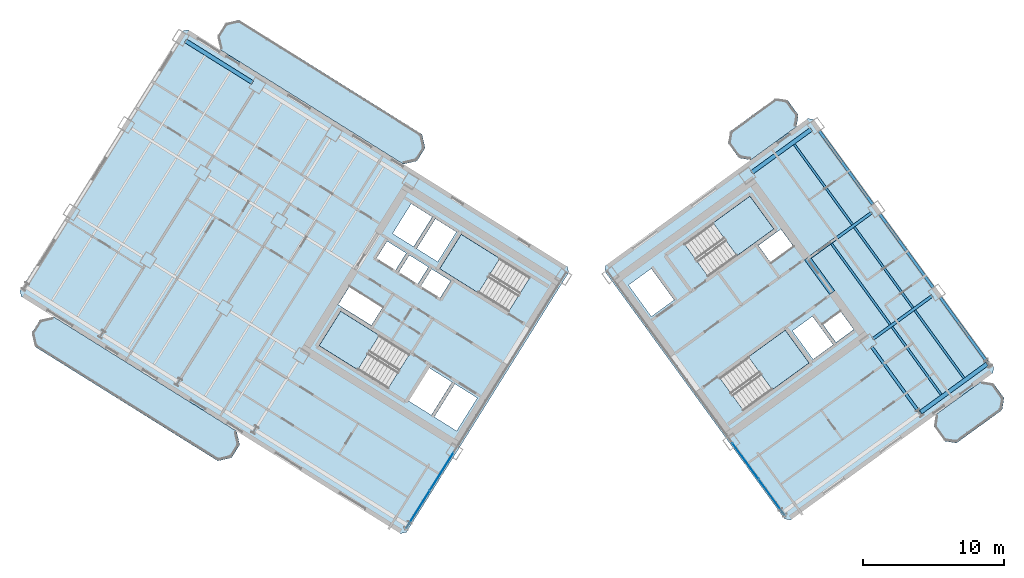
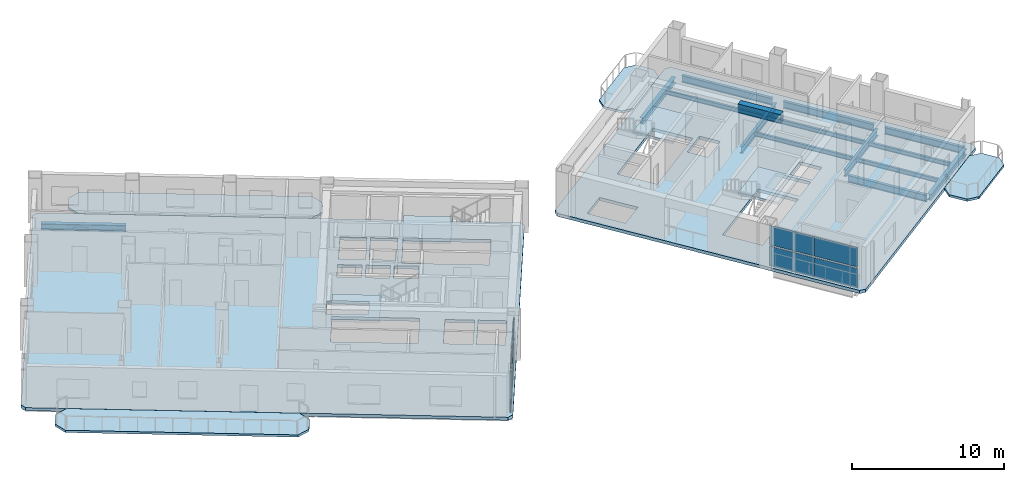
# One storey, part 9 of 18: 15 beams, 10 slabs, 8 plates, 6 elements without a shape of their own.
"""IFC4 building model written with IfcOpenShell, lengths in metres."""

import ifcopenshell
import ifcopenshell.guid

model = None  # the IFC model being written
_history = None  # IfcOwnerHistory: only IFC2X3 demands one
_inside = {}  # id of a spatial element -> (the spatial element, [elements in it])
_under = {}  # id of a project, library or spatial element -> (it, [spatial elements below it])
_declared = {}  # id of a project -> (the project, [libraries it declares])
_typed = {}  # id of a type object -> (the type object, [elements of that type])
_made_of = {}  # id of a material, layer set ... -> (it, [elements and type objects made of it])


def new_model(schema):
    """Start an empty IFC model of exactly this schema.

    Asked for "IFC4X3", IfcOpenShell would pick the latest addendum, in which some entities
    have other attributes; the version numbers below select the first issue.
    IFC2X3 requires an IfcOwnerHistory on every rooted entity: one is made here for all.
    """
    global model, _history
    if schema == "IFC4X3":
        model = ifcopenshell.file(schema_version=(4, 3, 0, 0))
    else:
        model = ifcopenshell.file(schema=schema)
    _inside.clear()
    _under.clear()
    _declared.clear()
    _typed.clear()
    _made_of.clear()
    _history = None
    if model.schema == "IFC2X3":
        org = make("IfcOrganization", Name="unknown")
        user = make(
            "IfcPersonAndOrganization",
            ThePerson=make("IfcPerson", FamilyName="unknown"),
            TheOrganization=org,
        )
        app = make(
            "IfcApplication",
            ApplicationDeveloper=org,
            Version="unknown",
            ApplicationFullName="unknown",
            ApplicationIdentifier="unknown",
        )
        _history = make(
            "IfcOwnerHistory",
            OwningUser=user,
            OwningApplication=app,
            ChangeAction="ADDED",
            CreationDate=0,
        )
    return model


def make(cls, **values):
    """One entity of the class cls with the attributes given. An attribute that is None is left unset."""
    return model.create_entity(
        cls, **{name: value for name, value in values.items() if value is not None}
    )


def rooted(cls, **values):
    """An entity with a GlobalId (a new one), such as an element, a storey or a relation."""
    return make(cls, GlobalId=ifcopenshell.guid.new(), OwnerHistory=_history, **values)


def si_unit(unit_type, name, prefix=None):
    """IfcSIUnit, for example si_unit("LENGTHUNIT", "METRE", prefix="MILLI")."""
    return make("IfcSIUnit", UnitType=unit_type, Prefix=prefix, Name=name)


def assignment(units):
    """IfcUnitAssignment: the units of a project."""
    return None if units is None else make("IfcUnitAssignment", Units=units)


def point(xyz):
    """IfcCartesianPoint."""
    return None if xyz is None else make("IfcCartesianPoint", Coordinates=xyz)


def direction(xyz):
    """IfcDirection."""
    return None if xyz is None else make("IfcDirection", DirectionRatios=xyz)


def frame(location, z_axis=None, x_axis=None):
    """IfcAxis2Placement3D, a coordinate frame: its origin and axes. An axis left out is left unset."""
    return make(
        "IfcAxis2Placement3D",
        Location=point(location),
        Axis=direction(z_axis),
        RefDirection=direction(x_axis),
    )


def frame_2d(location, x_axis=None):
    """IfcAxis2Placement2D, a coordinate frame in the plane: its origin and x axis."""
    return make(
        "IfcAxis2Placement2D", Location=point(location), RefDirection=direction(x_axis)
    )


def origin():
    """The frame at (0, 0, 0) with its axes left unset."""
    return frame((0.0, 0.0, 0.0))


def origin_2d():
    """The frame at (0, 0) in the plane with its x axis left unset."""
    return frame_2d((0.0, 0.0))


def place(relative_to, where):
    """IfcLocalPlacement: puts the frame where relative to a parent placement (None: the world)."""
    return make(
        "IfcLocalPlacement", PlacementRelTo=relative_to, RelativePlacement=where
    )


def context(
    kind, dimensions, precision=None, world=None, true_north=None, identifier=None
):
    """IfcGeometricRepresentationContext, for example the 3D "Model" context."""
    return make(
        "IfcGeometricRepresentationContext",
        ContextIdentifier=identifier,
        ContextType=kind,
        CoordinateSpaceDimension=dimensions,
        Precision=precision,
        WorldCoordinateSystem=world,
        TrueNorth=true_north,
    )


def subcontext(parent, identifier, kind, view, scale=None):
    """IfcGeometricRepresentationSubContext, for example "Body" below "Model"."""
    return make(
        "IfcGeometricRepresentationSubContext",
        ContextIdentifier=identifier,
        ContextType=kind,
        ParentContext=parent,
        TargetScale=scale,
        TargetView=view,
    )


def project(units=None, contexts=None):
    """IfcProject with its units and contexts."""
    return rooted(
        "IfcProject",
        Name="project",
        RepresentationContexts=contexts,
        UnitsInContext=assignment(units),
    )


def spatial(cls, under=None, at=None, **own):
    """A site, building, storey or space (cls), placed at a placement, below another one or the project."""
    s = rooted(cls, ObjectPlacement=at, **own)
    if under is not None:
        _under.setdefault(under.id(), (under, []))[1].append(s)
    return s


def polyline(points):
    """IfcPolyline through the points."""
    return make("IfcPolyline", Points=[point(p) for p in points])


def profile(cls, at=None, kind="AREA", **sizes):
    """A parametric profile (cls). Its sizes go by their IFC names, for example OverallWidth=200.0."""
    return make(cls, ProfileType=kind, Position=at, **sizes)


def rectangle(**sizes):
    """IfcRectangleProfileDef."""
    return profile("IfcRectangleProfileDef", **sizes)


def i_section(**sizes):
    """IfcIShapeProfileDef."""
    return profile("IfcIShapeProfileDef", **sizes)


def outline(outer, holes=None, kind="AREA"):
    """IfcArbitraryClosedProfileDef: a profile drawn as a closed curve; with holes, ...WithVoids."""
    if holes is None:
        return make("IfcArbitraryClosedProfileDef", ProfileType=kind, OuterCurve=outer)
    return make(
        "IfcArbitraryProfileDefWithVoids",
        ProfileType=kind,
        OuterCurve=outer,
        InnerCurves=holes,
    )


def extrude(swept, where, along, depth):
    """IfcExtrudedAreaSolid: the profile swept, set in the frame where, extruded along a direction by depth."""
    return make(
        "IfcExtrudedAreaSolid",
        SweptArea=swept,
        Position=where,
        ExtrudedDirection=direction(along),
        Depth=depth,
    )


def shape(context_of_items, identifier, shape_type, items):
    """IfcShapeRepresentation: the items that make up one representation, for example the "Body"."""
    return make(
        "IfcShapeRepresentation",
        ContextOfItems=context_of_items,
        RepresentationIdentifier=identifier,
        RepresentationType=shape_type,
        Items=items,
    )


def source(mapping_origin, context_of_items, identifier, shape_type, items):
    """IfcRepresentationMap: a shape defined once, which mapped items show again and again."""
    return make(
        "IfcRepresentationMap",
        MappingOrigin=mapping_origin,
        MappedRepresentation=shape(context_of_items, identifier, shape_type, items),
    )


def transform(
    local_origin,
    x_axis=None,
    y_axis=None,
    z_axis=None,
    scale=None,
    scale2=None,
    scale3=None,
    uniform=True,
):
    """IfcCartesianTransformationOperator3D, or its non-uniform kind. x_axis, y_axis, z_axis: its Axis1, 2, 3."""
    if uniform:
        return make(
            "IfcCartesianTransformationOperator3D",
            Axis1=direction(x_axis),
            Axis2=direction(y_axis),
            LocalOrigin=point(local_origin),
            Scale=scale,
            Axis3=direction(z_axis),
        )
    return make(
        "IfcCartesianTransformationOperator3DnonUniform",
        Axis1=direction(x_axis),
        Axis2=direction(y_axis),
        LocalOrigin=point(local_origin),
        Scale=scale,
        Axis3=direction(z_axis),
        Scale2=scale2,
        Scale3=scale3,
    )


def mapped(mapping_source, mapping_target):
    """IfcMappedItem: shows the shape of a source again, moved by a transform."""
    return make(
        "IfcMappedItem", MappingSource=mapping_source, MappingTarget=mapping_target
    )


def material(Name=None, Category=None):
    """IfcMaterial."""
    return make("IfcMaterial", Name=Name, Category=Category)


def layer(
    of_material, thickness, ventilated=None, Name=None, Category=None, Priority=None
):
    """IfcMaterialLayer: one layer of a wall or slab, of a material (None: an air gap)."""
    return make(
        "IfcMaterialLayer",
        Material=of_material,
        LayerThickness=thickness,
        IsVentilated=ventilated,
        Name=Name,
        Category=Category,
        Priority=Priority,
    )


def layer_set(layers, Name=None):
    """IfcMaterialLayerSet."""
    return make("IfcMaterialLayerSet", MaterialLayers=layers, LayerSetName=Name)


def material_profile(
    of_material, cross_section, Name=None, Category=None, Priority=None
):
    """IfcMaterialProfile: a cross section and its material."""
    return make(
        "IfcMaterialProfile",
        Name=Name,
        Material=of_material,
        Profile=cross_section,
        Priority=Priority,
        Category=Category,
    )


def profile_set(profiles, Name=None, composite=None):
    """IfcMaterialProfileSet."""
    return make(
        "IfcMaterialProfileSet",
        Name=Name,
        MaterialProfiles=profiles,
        CompositeProfile=composite,
    )


def made_of(thing, what):
    """Note that an element or type object is made of a material, layer set ...; save() writes the relation."""
    if what is not None:
        _made_of.setdefault(what.id(), (what, []))[1].append(thing)
    return thing


def type_object(cls, material=None, **own):
    """A type object (cls), such as IfcWallType, which elements share."""
    return made_of(rooted(cls, **own), material)


def element(
    cls,
    number,
    at=None,
    inside=None,
    cuts=None,
    type_object=None,
    material=None,
    context=None,
    identifier="Body",
    shape_type=None,
    held_by="IfcProductDefinitionShape",
    body=None,
    shapes=None,
    **own,
):
    """One element of the class cls, such as IfcWall. Its Tag is "e" and its number.

    at: its placement. inside: the storey or other place that contains it. cuts: it is an
    opening in that element (IfcRelVoidsElement). A single representation is given by context,
    identifier, shape_type and body (its items); several are given by shapes. held_by: the class
    of the entity that holds the representations. save() writes the other relations.
    """
    e = rooted(cls, Tag="e%d" % number, ObjectPlacement=at, **own)
    if body is not None:
        shapes = [shape(context, identifier, shape_type, body)]
    if shapes is not None:
        e.Representation = make(held_by, Representations=shapes)
    if inside is not None:
        _inside.setdefault(inside.id(), (inside, []))[1].append(e)
    if cuts is not None:
        rooted(
            "IfcRelVoidsElement", RelatingBuildingElement=cuts, RelatedOpeningElement=e
        )
    if type_object is not None:
        _typed.setdefault(type_object.id(), (type_object, []))[1].append(e)
    return made_of(e, material)


def aggregate(whole, parts):
    """IfcRelAggregates: a whole, such as a stair, and the parts it consists of."""
    return rooted("IfcRelAggregates", RelatingObject=whole, RelatedObjects=parts)


def save(model, path):
    """Write the relations noted so far, then the file.

    IfcRelAggregates (storeys below a building ...), IfcRelContainedInSpatialStructure (elements
    in a storey), IfcRelDefinesByType, IfcRelAssociatesMaterial and IfcRelDeclares: one each for
    every whole, place, type object, material and project.
    """
    for whole, parts in _under.values():
        aggregate(whole, parts)
    for where, things in _inside.values():
        rooted(
            "IfcRelContainedInSpatialStructure",
            RelatedElements=things,
            RelatingStructure=where,
        )
    for kind, things in _typed.values():
        rooted("IfcRelDefinesByType", RelatedObjects=things, RelatingType=kind)
    for what, things in _made_of.values():
        rooted("IfcRelAssociatesMaterial", RelatedObjects=things, RelatingMaterial=what)
    for by, libraries in _declared.values():
        rooted("IfcRelDeclares", RelatingContext=by, RelatedDefinitions=libraries)
    model.write(path)


model = new_model("IFC4")

# Units and contexts
model_context = context("Model", 3, precision=1e-05, world=origin(), true_north=direction((0.0, 1.0)))
body_context = subcontext(model_context, "Body", "Model", "MODEL_VIEW")
ifc_project = project(units=[si_unit("LENGTHUNIT", "METRE"), si_unit("AREAUNIT", "SQUARE_METRE"), si_unit("VOLUMEUNIT", "CUBIC_METRE"), si_unit("PLANEANGLEUNIT", "RADIAN"), si_unit("MASSUNIT", "GRAM", prefix="KILO")], contexts=[model_context])

# Site, building, storey
site_placement = place(None, origin())
site = spatial("IfcSite", under=ifc_project, at=site_placement, CompositionType="ELEMENT")
building_placement = place(site_placement, origin())
building = spatial("IfcBuilding", under=site, at=building_placement, Name="Tlacorven Tower", CompositionType="ELEMENT")
storey_placement = place(building_placement, frame((0.0, 0.0, 132.60009765625)))
storey = spatial("IfcBuildingStorey", under=building, at=storey_placement, Name="L33", CompositionType="ELEMENT", Elevation=132.60009765625)

# Beams
ifc_material_1 = material(Name="Concrete C60/75", Category="concrete")
ifc_material_profile_1 = material_profile(ifc_material_1, rectangle(XDim=0.449951171875, YDim=0.699951171875, at=origin_2d()), Name="RC 450X700")
ifc_profile_set_1 = profile_set([ifc_material_profile_1], Name="Concrete C60/75")
beam_type_1 = type_object("IfcBeamType", Name="BM-LNT-700", PredefinedType="LINTEL", material=ifc_profile_set_1)
shared_shape_1 = source(origin(), body_context, "Body", "SweptSolid", [
    extrude(rectangle(XDim=0.449951171875, YDim=0.699951171875, at=origin_2d()), origin(), (0.0, 0.0, 1.0), 3.050048828125),
])
beam_1_placement = place(storey_placement, frame((59.856689453125, 23.345947265625, 2.969970703125), z_axis=(-0.587776590479, 0.80902328748, 0.0), x_axis=(-0.80902328748, -0.587776590479, 0.0)))
element("IfcBeam", 1, at=beam_1_placement, inside=storey, type_object=beam_type_1, Name="L33 E core coupling lintel beam E2", PredefinedType="LINTEL", context=body_context, shape_type="MappedRepresentation", body=[
    mapped(shared_shape_1, transform((0.0, 0.0, 0.0), scale=1.0)),
])
ifc_material_2 = material(Name="Steel S355J2", Category="steel")
ifc_material_profile_2 = material_profile(ifc_material_2, i_section(OverallWidth=0.300048828125, OverallDepth=0.489990234375, WebThickness=0.011962890625, FlangeThickness=0.02294921875, at=origin_2d()), Name="HEA 500")
ifc_profile_set_2 = profile_set([ifc_material_profile_2], Name="Steel S355J2")
beam_type_2 = type_object("IfcBeamType", Name="BM-SPN-500", PredefinedType="SPANDREL", material=ifc_profile_set_2)
shared_shape_2 = source(origin(), body_context, "Body", "SweptSolid", [
    extrude(i_section(OverallWidth=0.300048828125, OverallDepth=0.489990234375, WebThickness=0.011962890625, FlangeThickness=0.02294921875, at=origin_2d()), origin(), (0.0, 0.0, 1.0), 5.800048828125),
])
beam_2_placement = place(storey_placement, frame((66.138671875, 14.86962890625, -0.4951171875), z_axis=(0.809019944521, 0.587781191743, 0.0), x_axis=(-0.587781191743, 0.809019944521, 0.0)))
element("IfcBeam", 2, at=beam_2_placement, inside=storey, type_object=beam_type_2, Name="L33 beam BM-L33-EL1-3", PredefinedType="SPANDREL", context=body_context, shape_type="MappedRepresentation", body=[
    mapped(shared_shape_2, transform((0.0, 0.0, 0.0), scale=1.0)),
])
shared_shape_3 = source(origin(), body_context, "Body", "SweptSolid", [
    extrude(i_section(OverallWidth=0.300048828125, OverallDepth=0.489990234375, WebThickness=0.011962890625, FlangeThickness=0.02294921875, at=origin_2d()), origin(), (0.0, 0.0, 1.0), 5.599853515625),
])
beam_3_placement = place(storey_placement, frame((18.733642578125, 38.246337890625, -0.4951171875), z_axis=(-0.848047285686, 0.529920561254, 0.0), x_axis=(-0.529920561254, -0.848047285686, 0.0)))
element("IfcBeam", 3, at=beam_3_placement, inside=storey, type_object=beam_type_2, Name="L33 beam BM-L33-WL1-5", PredefinedType="SPANDREL", context=body_context, shape_type="MappedRepresentation", body=[
    mapped(shared_shape_3, transform((0.0, 0.0, 0.0), scale=1.0)),
])
ifc_material_profile_3 = material_profile(ifc_material_2, i_section(OverallWidth=0.2099609375, OverallDepth=0.550048828125, WebThickness=0.010986328125, FlangeThickness=0.01708984375, at=origin_2d()), Name="IPE 550")
ifc_profile_set_3 = profile_set([ifc_material_profile_3], Name="Steel S355J2")
beam_type_3 = type_object("IfcBeamType", Name="BM-TWR-550", PredefinedType="BEAM", material=ifc_profile_set_3)
shared_shape_4 = source(origin(), body_context, "Body", "SweptSolid", [
    extrude(i_section(OverallWidth=0.2099609375, OverallDepth=0.550048828125, WebThickness=0.010986328125, FlangeThickness=0.01708984375, at=origin_2d()), origin(), (0.0, 0.0, 1.0), 5.7001953125),
])
beam_4_placement = place(storey_placement, frame((70.853271484375, 18.41845703125, -0.525146484375), z_axis=(-0.587766699507, 0.809030473438, 0.0), x_axis=(-0.809030473438, -0.587766699507, 0.0)))
element("IfcBeam", 4, at=beam_4_placement, inside=storey, type_object=beam_type_3, Name="L33 beam BM-L33-ET4-1", PredefinedType="BEAM", context=body_context, shape_type="MappedRepresentation", body=[
    mapped(shared_shape_4, transform((0.0, 0.0, 0.0), scale=1.0)),
])
shared_shape_5 = source(origin(), body_context, "Body", "SweptSolid", [
    extrude(i_section(OverallWidth=0.2099609375, OverallDepth=0.550048828125, WebThickness=0.010986328125, FlangeThickness=0.01708984375, at=origin_2d()), origin(), (0.0, 0.0, 1.0), 5.699951171875),
])
beam_5_placement = place(storey_placement, frame((65.9990234375, 14.891845703125, -0.525146484375), z_axis=(-0.587787066966, 0.809015675935, 0.0), x_axis=(-0.809015675935, -0.587787066966, 0.0)))
element("IfcBeam", 5, at=beam_5_placement, inside=storey, type_object=beam_type_3, Name="L33 beam BM-L33-ET3-1", PredefinedType="BEAM", context=body_context, shape_type="MappedRepresentation", body=[
    mapped(shared_shape_5, transform((0.0, 0.0, 0.0), scale=1.0)),
])
shared_shape_6 = source(origin(), body_context, "Body", "SweptSolid", [
    extrude(i_section(OverallWidth=0.2099609375, OverallDepth=0.550048828125, WebThickness=0.010986328125, FlangeThickness=0.01708984375, at=origin_2d()), origin(), (0.0, 0.0, 1.0), 6.5),
])
for number, where, z_axis, x_axis, name in (
    (6, (67.03271484375, 23.67724609375, -0.525146484375), (-0.587809847215, 0.808999124547, 0.0), (-0.808999124547, -0.587809847215, 0.0), "L33 beam BM-L33-ET4-2"),
    (7, (62.74169921875, 29.5830078125, -0.525146484375), (-0.587785264321, 0.809016985636, 0.0), (-0.809016985636, -0.587785264321, 0.0), "L33 beam BM-L33-ET4-3"),
):
    element("IfcBeam", number, at=place(storey_placement, frame(where, z_axis=z_axis, x_axis=x_axis)), inside=storey, type_object=beam_type_3, Name=name, PredefinedType="BEAM", context=body_context, shape_type="MappedRepresentation", body=[
        mapped(shared_shape_6, transform((0.0, 0.0, 0.0), scale=1.0)),
    ])
shared_shape_7 = source(origin(), body_context, "Body", "SweptSolid", [
    extrude(i_section(OverallWidth=0.2099609375, OverallDepth=0.550048828125, WebThickness=0.010986328125, FlangeThickness=0.01708984375, at=origin_2d()), origin(), (0.0, 0.0, 1.0), 5.56005859375),
])
beam_6_placement = place(storey_placement, frame((58.155029296875, 25.756103515625, -0.525146484375), z_axis=(0.809028396397, 0.587769558435, 0.0), x_axis=(-0.587769558435, 0.809028396397, 0.0)))
element("IfcBeam", 8, at=beam_6_placement, inside=storey, type_object=beam_type_3, Name="L33 beam BM-L33-EL3-3", PredefinedType="BEAM", context=body_context, shape_type="MappedRepresentation", body=[
    mapped(shared_shape_7, transform((0.0, 0.0, 0.0), scale=1.0)),
])
ifc_material_profile_4 = material_profile(ifc_material_2, i_section(OverallWidth=0.159912109375, OverallDepth=0.330078125, WebThickness=0.007568359375, FlangeThickness=0.011474609375, at=origin_2d()), Name="IPE 330")
ifc_profile_set_4 = profile_set([ifc_material_profile_4], Name="Steel S355J2")
beam_type_4 = type_object("IfcBeamType", Name="BM-JST-330", PredefinedType="JOIST", material=ifc_profile_set_4)
shared_shape_8 = source(origin(), body_context, "Body", "SweptSolid", [
    extrude(i_section(OverallWidth=0.159912109375, OverallDepth=0.330078125, WebThickness=0.007568359375, FlangeThickness=0.011474609375, at=origin_2d()), origin(), (0.0, 0.0, 1.0), 5.93505859375),
])
for number, where, z_axis, x_axis, name in (
    (9, (67.584716796875, 16.11181640625, -0.4150390625), (-0.58778762431, 0.809015270998, 0.0), (-0.809015270998, -0.58778762431, 0.0), "L33 beam BM-L33-EJ3-1-1"),
    (10, (69.202880859375, 17.287353515625, -0.4150390625), (-0.58778762431, 0.809015270998, 0.0), (-0.809015270998, -0.58778762431, 0.0), "L33 beam BM-L33-EJ3-1-2"),
):
    element("IfcBeam", number, at=place(storey_placement, frame(where, z_axis=z_axis, x_axis=x_axis)), inside=storey, type_object=beam_type_4, Name=name, PredefinedType="JOIST", context=body_context, shape_type="MappedRepresentation", body=[
        mapped(shared_shape_8, transform((0.0, 0.0, 0.0), scale=1.0)),
    ])
shared_shape_9 = source(origin(), body_context, "Body", "SweptSolid", [
    extrude(i_section(OverallWidth=0.159912109375, OverallDepth=0.330078125, WebThickness=0.007568359375, FlangeThickness=0.011474609375, at=origin_2d()), origin(), (0.0, 0.0, 1.0), 7.080078125),
])
beam_7_placement = place(storey_placement, frame((65.5849609375, 22.266845703125, -0.4150390625), z_axis=(-0.587759505125, 0.809035700161, 0.0), x_axis=(-0.809035700161, -0.587759505125, 0.0)))
element("IfcBeam", 11, at=beam_7_placement, inside=storey, type_object=beam_type_4, Name="L33 beam BM-L33-EJ3-2-2", PredefinedType="JOIST", context=body_context, shape_type="MappedRepresentation", body=[
    mapped(shared_shape_9, transform((0.0, 0.0, 0.0), scale=1.0)),
])
shared_shape_10 = source(origin(), body_context, "Body", "SweptSolid", [
    extrude(i_section(OverallWidth=0.159912109375, OverallDepth=0.330078125, WebThickness=0.007568359375, FlangeThickness=0.011474609375, at=origin_2d()), origin(), (0.0, 0.0, 1.0), 7.034912109375),
])
beam_8_placement = place(storey_placement, frame((61.294189453125, 28.1728515625, -0.4150390625), z_axis=(-0.587781631373, 0.809019625115, 0.0), x_axis=(-0.809019625115, -0.587781631373, 0.0)))
element("IfcBeam", 12, at=beam_8_placement, inside=storey, type_object=beam_type_4, Name="L33 beam BM-L33-EJ3-3-2", PredefinedType="JOIST", context=body_context, shape_type="MappedRepresentation", body=[
    mapped(shared_shape_10, transform((0.0, 0.0, 0.0), scale=1.0)),
])
shared_shape_11 = source(origin(), body_context, "Body", "SweptSolid", [
    extrude(i_section(OverallWidth=0.159912109375, OverallDepth=0.330078125, WebThickness=0.007568359375, FlangeThickness=0.011474609375, at=origin_2d()), origin(), (0.0, 0.0, 1.0), 7.080322265625),
])
beam_9_placement = place(storey_placement, frame((63.967041015625, 21.09130859375, -0.4150390625), z_axis=(-0.587782074775, 0.809019302967, 0.0), x_axis=(-0.809019302967, -0.587782074775, 0.0)))
element("IfcBeam", 13, at=beam_9_placement, inside=storey, type_object=beam_type_4, Name="L33 beam BM-L33-EJ3-2-1", PredefinedType="JOIST", context=body_context, shape_type="MappedRepresentation", body=[
    mapped(shared_shape_11, transform((0.0, 0.0, 0.0), scale=1.0)),
])
shared_shape_12 = source(origin(), body_context, "Body", "SweptSolid", [
    extrude(i_section(OverallWidth=0.2099609375, OverallDepth=0.550048828125, WebThickness=0.010986328125, FlangeThickness=0.01708984375, at=origin_2d()), origin(), (0.0, 0.0, 1.0), 5.199951171875),
])
beam_10_placement = place(storey_placement, frame((62.7373046875, 20.06201171875, -0.525146484375), z_axis=(0.809018206713, 0.587783583648, 0.0), x_axis=(-0.587783583648, 0.809018206713, 0.0)))
element("IfcBeam", 14, at=beam_10_placement, inside=storey, type_object=beam_type_3, Name="L33 beam BM-L33-EL2-3", PredefinedType="BEAM", context=body_context, shape_type="MappedRepresentation", body=[
    mapped(shared_shape_12, transform((0.0, 0.0, 0.0), scale=1.0)),
])
shared_shape_13 = source(origin(), body_context, "Body", "SweptSolid", [
    extrude(i_section(OverallWidth=0.300048828125, OverallDepth=0.489990234375, WebThickness=0.011962890625, FlangeThickness=0.02294921875, at=origin_2d()), origin(), (0.0, 0.0, 1.0), 5.2001953125),
])
beam_11_placement = place(storey_placement, frame((54.155517578125, 31.87353515625, -0.4951171875), z_axis=(0.80901210161, 0.587791986546, 0.0), x_axis=(-0.587791986546, 0.80901210161, 0.0)))
element("IfcBeam", 15, at=beam_11_placement, inside=storey, type_object=beam_type_2, Name="L33 beam BM-L33-EL4-3", PredefinedType="SPANDREL", context=body_context, shape_type="MappedRepresentation", body=[
    mapped(shared_shape_13, transform((0.0, 0.0, 0.0), scale=1.0)),
])

# Slabs
ifc_material_3 = material(Name="Precast concrete C45/55", Category="concrete")
ifc_layer_1 = layer(ifc_material_3, 0.179931640625)
ifc_layer_set_1 = layer_set([ifc_layer_1], Name="Precast concrete C45/55")
slab_type_1 = type_object("IfcSlabType", Name="SL-BAL-180", PredefinedType="USERDEFINED", material=ifc_layer_set_1)
slab_1_placement = place(storey_placement, frame((0.0, 0.0, -0.18017578125)))
element("IfcSlab", 16, at=slab_1_placement, inside=storey, type_object=slab_type_1, Name="L33 West Wing Balcony Ribbon OUT", ObjectType="BALCONY SLAB", PredefinedType="USERDEFINED", context=body_context, shape_type="SweptSolid", body=[
    extrude(outline(polyline([(17.601318359375, 13.52490234375), (4.626220703125, 21.632568359375), (3.66162109375, 21.409912109375), (3.081298828125, 20.4814453125), (3.303955078125, 19.516845703125), (16.279052734375, 11.408935546875), (17.24365234375, 11.6318359375), (17.823974609375, 12.560302734375), (17.601318359375, 13.52490234375)])), origin(), (0.0, 0.0, 1.0), 0.18017578125),
])
slab_2_placement = place(storey_placement, frame((0.0, 0.0, -0.18017578125)))
element("IfcSlab", 17, at=slab_2_placement, inside=storey, type_object=slab_type_1, Name="L33 West Wing Balcony Ribbon IN", ObjectType="BALCONY SLAB", PredefinedType="USERDEFINED", context=body_context, shape_type="SweptSolid", body=[
    extrude(outline(polyline([(30.756591796875, 34.57763671875), (17.781494140625, 42.685546875), (16.81689453125, 42.462890625), (16.236572265625, 41.5341796875), (16.459228515625, 40.569580078125), (29.434326171875, 32.4619140625), (30.39892578125, 32.6845703125), (30.979248046875, 33.613037109375), (30.756591796875, 34.57763671875)])), origin(), (0.0, 0.0, 1.0), 0.18017578125),
])
slab_3_placement = place(storey_placement, frame((0.0, 0.0, -0.18017578125)))
element("IfcSlab", 18, at=slab_3_placement, inside=storey, type_object=slab_type_1, Name="L33 East Wing Balcony Ribbon OUT", ObjectType="BALCONY SLAB", PredefinedType="USERDEFINED", context=body_context, shape_type="SweptSolid", body=[
    extrude(outline(polyline([(68.669921875, 12.678955078125), (71.906005859375, 15.0302734375), (72.03857421875, 15.8681640625), (71.27734375, 16.916015625), (70.439453125, 17.048583984375), (67.203369140625, 14.697509765625), (67.070556640625, 13.859375), (67.831787109375, 12.811767578125), (68.669921875, 12.678955078125)])), origin(), (0.0, 0.0, 1.0), 0.18017578125),
])
slab_4_placement = place(storey_placement, frame((0.0, 0.0, -0.18017578125)))
element("IfcSlab", 19, at=slab_4_placement, inside=storey, type_object=slab_type_1, Name="L33 East Wing Balcony Ribbon IN", ObjectType="BALCONY SLAB", PredefinedType="USERDEFINED", context=body_context, shape_type="SweptSolid", body=[
    extrude(outline(polyline([(54.078125, 32.762939453125), (57.314208984375, 35.114013671875), (57.44677734375, 35.9521484375), (56.685791015625, 36.999755859375), (55.84765625, 37.132568359375), (52.611572265625, 34.78125), (52.478759765625, 33.943359375), (53.239990234375, 32.8955078125), (54.078125, 32.762939453125)])), origin(), (0.0, 0.0, 1.0), 0.18017578125),
])

# Stair, slab
ifc_material_4 = material(Name="Concrete C40/50", Category="concrete")
stair_type = type_object("IfcStairType", Name="ST-CORE-DLG", PredefinedType="HALF_TURN_STAIR", material=ifc_material_4)
stair_1_placement = place(storey_placement, origin())
stair_1 = element("IfcStair", 20, at=stair_1_placement, inside=storey, type_object=stair_type, Name="L33 Protected Exit Stair West 1", PredefinedType="HALF_TURN_STAIR")
ifc_layer_2 = layer(ifc_material_4, 0.199951171875)
ifc_layer_set_2 = layer_set([ifc_layer_2], Name="Concrete C40/50")
slab_type_2 = type_object("IfcSlabType", Name="SL-LND-200", PredefinedType="LANDING", material=ifc_layer_set_2)
slab_5_placement = place(storey_placement, frame((0.0, 0.0, 1.599853515625)))
slab_5 = element("IfcSlab", 21, at=slab_5_placement, type_object=slab_type_2, Name="ST-W1 landing 1", PredefinedType="LANDING", context=body_context, shape_type="SweptSolid", body=[
    extrude(outline(polyline([(27.728515625, 20.315185546875), (24.9892578125, 22.02685546875), (23.463134765625, 19.58447265625), (26.2021484375, 17.872802734375), (27.728515625, 20.315185546875)])), origin(), (0.0, 0.0, 1.0), 0.199951171875),
])
aggregate(stair_1, [slab_5])

stair_2_placement = place(storey_placement, origin())
stair_2 = element("IfcStair", 22, at=stair_2_placement, inside=storey, type_object=stair_type, Name="L33 Protected Exit Stair West 2", PredefinedType="HALF_TURN_STAIR")
slab_6_placement = place(storey_placement, frame((0.0, 0.0, 1.599853515625)))
slab_6 = element("IfcSlab", 23, at=slab_6_placement, type_object=slab_type_2, Name="ST-W2 landing 1", PredefinedType="LANDING", context=body_context, shape_type="SweptSolid", body=[
    extrude(outline(polyline([(36.280029296875, 25.772705078125), (33.540771484375, 27.484375), (32.0146484375, 25.0419921875), (34.75390625, 23.33056640625), (36.280029296875, 25.772705078125)])), origin(), (0.0, 0.0, 1.0), 0.199951171875),
])
aggregate(stair_2, [slab_6])

stair_3_placement = place(storey_placement, origin())
stair_3 = element("IfcStair", 24, at=stair_3_placement, inside=storey, type_object=stair_type, Name="L33 Protected Exit Stair East 1", PredefinedType="HALF_TURN_STAIR")
slab_7_placement = place(storey_placement, frame((0.0, 0.0, 1.599853515625)))
slab_7 = element("IfcSlab", 25, at=slab_7_placement, type_object=slab_type_2, Name="ST-E1 landing 1", PredefinedType="LANDING", context=body_context, shape_type="SweptSolid", body=[
    extrude(outline(polyline([(53.09765625, 25.962890625), (55.7109375, 27.861572265625), (54.01806640625, 30.19140625), (51.40478515625, 28.29296875), (53.09765625, 25.962890625)])), origin(), (0.0, 0.0, 1.0), 0.199951171875),
])
aggregate(stair_3, [slab_7])

stair_4_placement = place(storey_placement, origin())
stair_4 = element("IfcStair", 26, at=stair_4_placement, inside=storey, type_object=stair_type, Name="L33 Protected Exit Stair East 2", PredefinedType="HALF_TURN_STAIR")
slab_8_placement = place(storey_placement, frame((0.0, 0.0, 1.599853515625)))
slab_8 = element("IfcSlab", 27, at=slab_8_placement, type_object=slab_type_2, Name="ST-E2 landing 1", PredefinedType="LANDING", context=body_context, shape_type="SweptSolid", body=[
    extrude(outline(polyline([(55.601806640625, 16.4599609375), (58.21484375, 18.3583984375), (56.52197265625, 20.6884765625), (53.908935546875, 18.789794921875), (55.601806640625, 16.4599609375)])), origin(), (0.0, 0.0, 1.0), 0.199951171875),
])
aggregate(stair_4, [slab_8])

# Slabs
ifc_layer_3 = layer(ifc_material_4, 0.25)
ifc_layer_set_3 = layer_set([ifc_layer_3], Name="Concrete C40/50")
slab_type_3 = type_object("IfcSlabType", Name="SL-TWR-250", PredefinedType="FLOOR", material=ifc_layer_set_3)
slab_9_placement = place(storey_placement, frame((0.0, 0.0, -0.25)))
element("IfcSlab", 28, at=slab_9_placement, inside=storey, type_object=slab_type_3, Name="L33 West Wing Portal Floor Slab", PredefinedType="FLOOR", context=body_context, shape_type="SweptSolid", body=[
    extrude(outline(polyline([(41.06689453125, 25.18701171875), (14.1669921875, 41.99609375), (13.75341796875, 41.900634765625), (2.24365234375, 23.481201171875), (2.339111328125, 23.067626953125), (29.2392578125, 6.258544921875), (29.652587890625, 6.35400390625), (41.162353515625, 24.773681640625), (41.06689453125, 25.18701171875)]), holes=[polyline([(29.865478515625, 18.979736328125), (24.9892578125, 22.02685546875), (23.463134765625, 19.58447265625), (28.33935546875, 16.537353515625), (29.865478515625, 18.979736328125)]), polyline([(38.4169921875, 24.4375), (33.540771484375, 27.484375), (32.0146484375, 25.0419921875), (36.890869140625, 21.9951171875), (38.4169921875, 24.4375)]), polyline([(34.682373046875, 15.87548828125), (33.088134765625, 16.871826171875), (31.62548828125, 14.531005859375), (33.2197265625, 13.534912109375), (34.682373046875, 15.87548828125)]), polyline([(32.884521484375, 16.9990234375), (31.2392578125, 18.02685546875), (29.77685546875, 15.686279296875), (31.421875, 14.658203125), (32.884521484375, 16.9990234375)]), polyline([(33.197265625, 27.65185546875), (31.704833984375, 28.58447265625), (30.3798828125, 26.46435546875), (31.87255859375, 25.53173828125), (33.197265625, 27.65185546875)]), polyline([(31.484375, 28.722412109375), (29.99169921875, 29.655029296875), (28.6669921875, 27.534912109375), (30.159423828125, 26.602294921875), (31.484375, 28.722412109375)]), polyline([(32.794921875, 24.17724609375), (31.43798828125, 25.025146484375), (30.685546875, 23.82080078125), (32.042236328125, 22.972900390625), (32.794921875, 24.17724609375)]), polyline([(31.217529296875, 25.162841796875), (29.860595703125, 26.0107421875), (29.108154296875, 24.806396484375), (30.465087890625, 23.958740234375), (31.217529296875, 25.162841796875)]), polyline([(29.64013671875, 26.1484375), (28.283203125, 26.996337890625), (27.53076171875, 25.792236328125), (28.8876953125, 24.9443359375), (29.64013671875, 26.1484375)]), polyline([(27.96142578125, 22.2919921875), (25.603759765625, 23.76513671875), (24.80908203125, 22.4931640625), (27.16650390625, 21.02001953125), (27.96142578125, 22.2919921875)])]), origin(), (0.0, 0.0, 1.0), 0.25),
])
slab_10_placement = place(storey_placement, frame((0.0, 0.0, -0.25)))
element("IfcSlab", 29, at=slab_10_placement, inside=storey, type_object=slab_type_3, Name="L33 East Wing Portal Floor Slab", PredefinedType="FLOOR", context=body_context, shape_type="SweptSolid", body=[
    extrude(outline(polyline([(56.90966796875, 7.224853515625), (71.245361328125, 17.640380859375), (71.311767578125, 18.0595703125), (58.545166015625, 35.63134765625), (58.1259765625, 35.69775390625), (43.790283203125, 25.2822265625), (43.723876953125, 24.86328125), (56.49072265625, 7.291259765625), (56.90966796875, 7.224853515625)]), holes=[polyline([(51.05908203125, 24.481689453125), (55.7109375, 27.861572265625), (54.01806640625, 30.19140625), (49.3662109375, 26.811767578125), (51.05908203125, 24.481689453125)]), polyline([(53.56298828125, 14.978759765625), (58.21484375, 18.3583984375), (56.52197265625, 20.6884765625), (51.8701171875, 17.30859375), (53.56298828125, 14.978759765625)]), polyline([(47.0234375, 21.648681640625), (48.6416015625, 22.82421875), (47.019287109375, 25.05712890625), (45.401123046875, 23.881591796875), (47.0234375, 21.648681640625)]), polyline([(58.498779296875, 18.614013671875), (59.922607421875, 19.648681640625), (58.453125, 21.671142578125), (57.029296875, 20.63671875), (58.498779296875, 18.614013671875)]), polyline([(55.490478515625, 25.4765625), (57.092529296875, 26.640380859375), (56.210693359375, 27.85400390625), (54.60888671875, 26.690185546875), (55.490478515625, 25.4765625)]), polyline([(60.12109375, 19.817626953125), (61.38330078125, 20.734619140625), (60.45458984375, 22.012939453125), (59.192626953125, 21.095947265625), (60.12109375, 19.817626953125)])]), origin(), (0.0, 0.0, 1.0), 0.25),
])

# Curtain wall, plates
ifc_material_5 = material(Name="Dark solar low-E double glazing in aluminium frame", Category="aluminium")
curtain_wall_type = type_object("IfcCurtainWallType", Name="CW-TWR-MID", PredefinedType="USERDEFINED", material=ifc_material_5)
curtain_wall_1_placement = place(storey_placement, origin())
curtain_wall_1 = element("IfcCurtainWall", 30, at=curtain_wall_1_placement, inside=storey, type_object=curtain_wall_type, Name="L33 CW-TWR-MID Curtain Wall 157", ObjectType="UNITISED CURTAIN WALL", PredefinedType="USERDEFINED")
ifc_material_6 = material(Name="High-wind dark solar tempered low-E glazing", Category="glass")
ifc_layer_4 = layer(ifc_material_6, 0.028076171875)
ifc_layer_set_4 = layer_set([ifc_layer_4], Name="High-wind dark solar tempered low-E glazing")
plate_type = type_object("IfcPlateType", Name="CWP-03", PredefinedType="CURTAIN_PANEL", material=ifc_layer_set_4)
shared_shape_14 = source(origin(), body_context, "Body", "SweptSolid", [
    extrude(rectangle(XDim=3.1298828125, YDim=0.028076171875, at=origin_2d()), origin(), (0.0, 0.0, 1.0), 1.5380859375),
])
plate_1_placement = place(storey_placement, frame((32.1474609375, 10.648681640625, 0.060791015625), z_axis=(0.0, 0.0, 1.0), x_axis=(-0.529919272078, -0.848048091255, 0.0)))
plate_1 = element("IfcPlate", 31, at=plate_1_placement, type_object=plate_type, Name="CW-L33-157 Glazing Panel 1", PredefinedType="CURTAIN_PANEL", context=body_context, shape_type="MappedRepresentation", body=[
    mapped(shared_shape_14, transform((0.0, 0.0, 0.0), scale=1.0)),
])
plate_2_placement = place(storey_placement, frame((32.1474609375, 10.648681640625, 1.720947265625), z_axis=(0.0, 0.0, 1.0), x_axis=(-0.529919272078, -0.848048091255, 0.0)))
plate_2 = element("IfcPlate", 32, at=plate_2_placement, type_object=plate_type, Name="CW-L33-157 Glazing Panel 2", PredefinedType="CURTAIN_PANEL", context=body_context, shape_type="MappedRepresentation", body=[
    mapped(shared_shape_14, transform((0.0, 0.0, 0.0), scale=1.0)),
])
plate_3_placement = place(storey_placement, frame((30.4638671875, 7.95458984375, 0.060791015625), z_axis=(0.0, 0.0, 1.0), x_axis=(-0.529919272078, -0.848048091255, 0.0)))
plate_3 = element("IfcPlate", 33, at=plate_3_placement, type_object=plate_type, Name="CW-L33-157 Glazing Panel 3", PredefinedType="CURTAIN_PANEL", context=body_context, shape_type="MappedRepresentation", body=[
    mapped(shared_shape_14, transform((0.0, 0.0, 0.0), scale=1.0)),
])
plate_4_placement = place(storey_placement, frame((30.4638671875, 7.95458984375, 1.720947265625), z_axis=(0.0, 0.0, 1.0), x_axis=(-0.529919272078, -0.848048091255, 0.0)))
plate_4 = element("IfcPlate", 34, at=plate_4_placement, type_object=plate_type, Name="CW-L33-157 Glazing Panel 4", PredefinedType="CURTAIN_PANEL", context=body_context, shape_type="MappedRepresentation", body=[
    mapped(shared_shape_14, transform((0.0, 0.0, 0.0), scale=1.0)),
])
aggregate(curtain_wall_1, [plate_1, plate_2, plate_3, plate_4])

curtain_wall_2_placement = place(storey_placement, origin())
curtain_wall_2 = element("IfcCurtainWall", 35, at=curtain_wall_2_placement, inside=storey, type_object=curtain_wall_type, Name="L33 CW-TWR-MID Curtain Wall 158", ObjectType="UNITISED CURTAIN WALL", PredefinedType="USERDEFINED")
plate_5_placement = place(storey_placement, frame((55.569580078125, 8.831298828125, 0.060791015625), z_axis=(0.0, 0.0, 1.0), x_axis=(-0.587785363163, 0.809016913823, 0.0)))
plate_5 = element("IfcPlate", 36, at=plate_5_placement, type_object=plate_type, Name="CW-L33-158 Glazing Panel 1", PredefinedType="CURTAIN_PANEL", context=body_context, shape_type="MappedRepresentation", body=[
    mapped(shared_shape_14, transform((0.0, 0.0, 0.0), scale=1.0)),
])
plate_6_placement = place(storey_placement, frame((55.569580078125, 8.831298828125, 1.720947265625), z_axis=(0.0, 0.0, 1.0), x_axis=(-0.587785363163, 0.809016913823, 0.0)))
plate_6 = element("IfcPlate", 37, at=plate_6_placement, type_object=plate_type, Name="CW-L33-158 Glazing Panel 2", PredefinedType="CURTAIN_PANEL", context=body_context, shape_type="MappedRepresentation", body=[
    mapped(shared_shape_14, transform((0.0, 0.0, 0.0), scale=1.0)),
])
plate_7_placement = place(storey_placement, frame((53.7021484375, 11.4013671875, 0.060791015625), z_axis=(0.0, 0.0, 1.0), x_axis=(-0.587785363163, 0.809016913823, 0.0)))
plate_7 = element("IfcPlate", 38, at=plate_7_placement, type_object=plate_type, Name="CW-L33-158 Glazing Panel 3", PredefinedType="CURTAIN_PANEL", context=body_context, shape_type="MappedRepresentation", body=[
    mapped(shared_shape_14, transform((0.0, 0.0, 0.0), scale=1.0)),
])
plate_8_placement = place(storey_placement, frame((53.7021484375, 11.4013671875, 1.720947265625), z_axis=(0.0, 0.0, 1.0), x_axis=(-0.587785363163, 0.809016913823, 0.0)))
plate_8 = element("IfcPlate", 39, at=plate_8_placement, type_object=plate_type, Name="CW-L33-158 Glazing Panel 4", PredefinedType="CURTAIN_PANEL", context=body_context, shape_type="MappedRepresentation", body=[
    mapped(shared_shape_14, transform((0.0, 0.0, 0.0), scale=1.0)),
])
aggregate(curtain_wall_2, [plate_5, plate_6, plate_7, plate_8])

save(model, "model.ifc")
